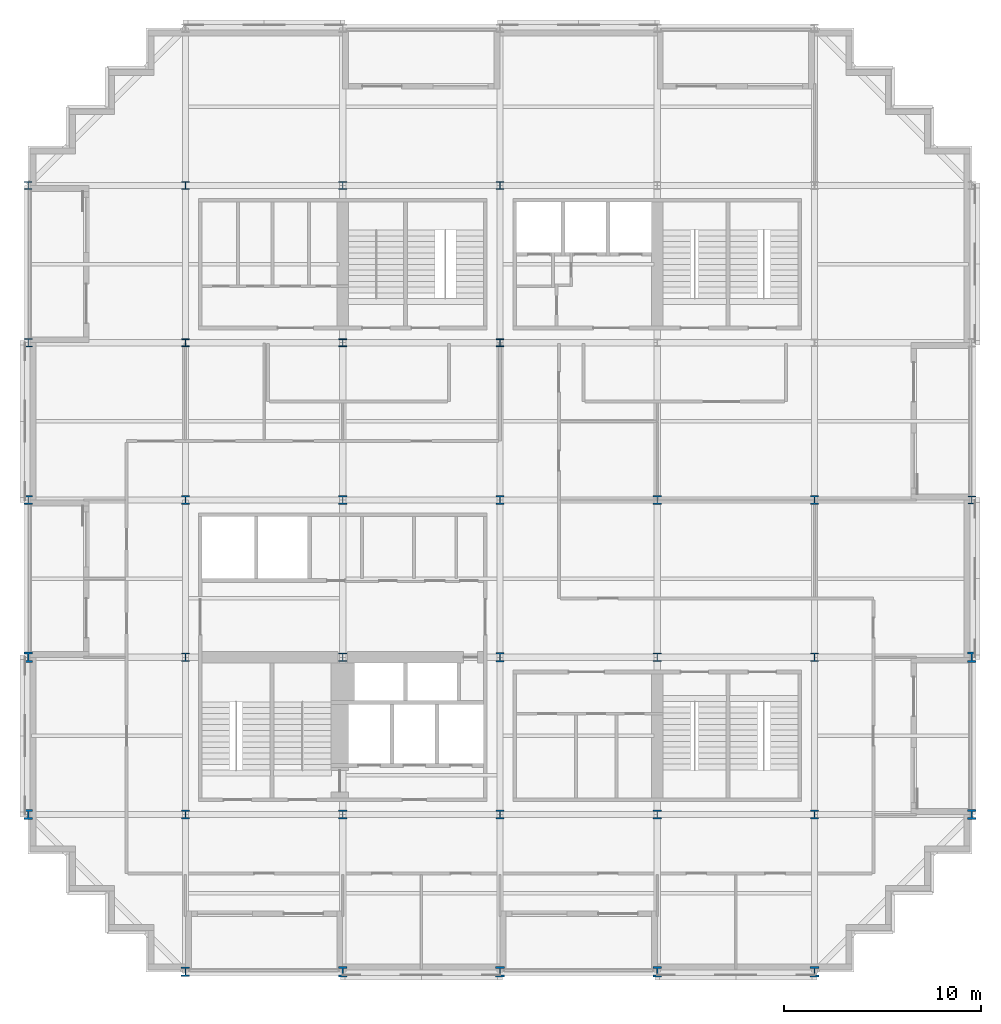
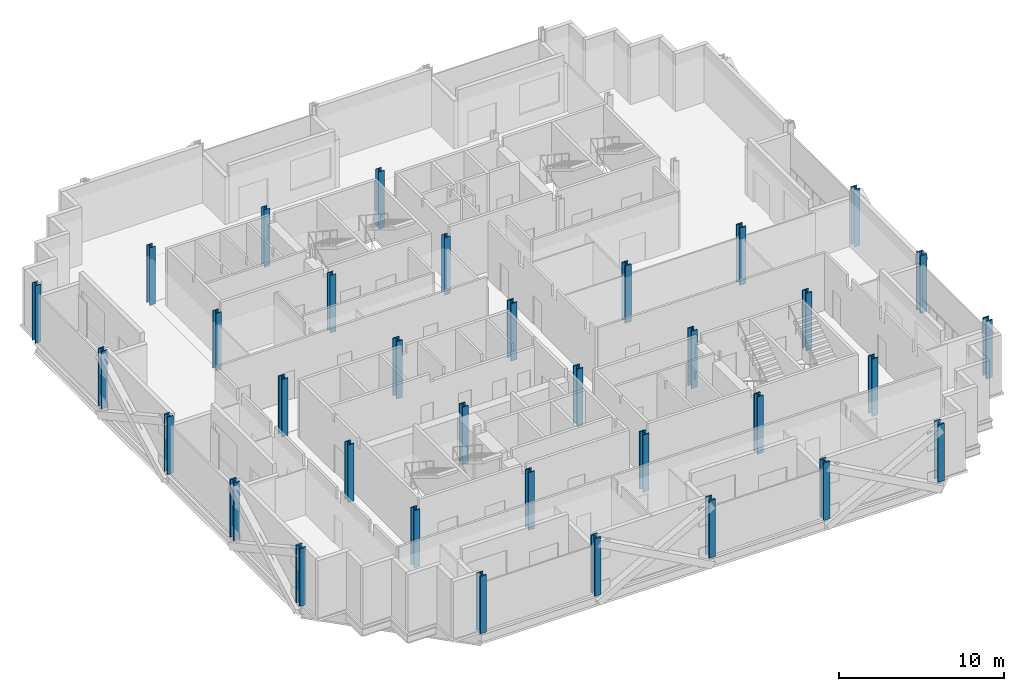
# One storey, part 1 of 12: 34 columns.
"""IFC4 building model written with IfcOpenShell, lengths in metres."""

from ifc_helpers import new_model, si_unit, direction, frame, origin, origin_2d, place, context, subcontext, project, spatial, i_section, extrude, material, material_profile, profile_set, type_object, element, save


model = new_model("IFC4")

# Units and contexts
model_context = context("Model", 3, precision=1e-05, world=origin(), true_north=direction((0.0, 1.0)))
body_context = subcontext(model_context, "Body", "Model", "MODEL_VIEW")
ifc_project = project(units=[si_unit("LENGTHUNIT", "METRE"), si_unit("AREAUNIT", "SQUARE_METRE"), si_unit("VOLUMEUNIT", "CUBIC_METRE"), si_unit("PLANEANGLEUNIT", "RADIAN"), si_unit("MASSUNIT", "GRAM", prefix="KILO")], contexts=[model_context])

# Site, building, storey
site_placement = place(None, origin())
site = spatial("IfcSite", under=ifc_project, at=site_placement, CompositionType="ELEMENT")
building_placement = place(site_placement, origin())
building = spatial("IfcBuilding", under=site, at=building_placement, Name="Immortelle Media Tower", CompositionType="ELEMENT")
storey_placement = place(building_placement, frame((0.0, 0.0, 52.39990234375)))
storey = spatial("IfcBuildingStorey", under=building, at=storey_placement, Name="L08", CompositionType="ELEMENT", Elevation=52.39990234375)

# Columns
ifc_material = material(Name="Steel ASTM A992 Gr 50", Category="steel")
ifc_material_profile_1 = material_profile(ifc_material, i_section(OverallWidth=0.39892578125, OverallDepth=0.385986328125, WebThickness=0.02099609375, FlangeThickness=0.032958984375, at=origin_2d()), Name="W14x176")
ifc_profile_set_1 = profile_set([ifc_material_profile_1], Name="Steel ASTM A992 Gr 50")
column_type_1 = type_object("IfcColumnType", Name="W14x176 column", PredefinedType="COLUMN", material=ifc_profile_set_1)
for number, where, z_axis, x_axis, name in (
    (1, (8.0, 32.0, 0.0), (0.0, 0.0, 1.0), (1.0, 0.0, 0.0), "Column 2/E"),
    (2, (8.0, 40.0, 0.0), (0.0, 0.0, 1.0), (1.0, 0.0, 0.0), "Column 2/F"),
    (3, (16.0, 32.0, 0.0), (0.0, 0.0, 1.0), (1.0, 0.0, 0.0), "Column 3/E"),
    (4, (16.0, 40.0, 0.0), (0.0, 0.0, 1.0), (1.0, 0.0, 0.0), "Column 3/F"),
):
    element("IfcColumn", number, at=place(storey_placement, frame(where, z_axis=z_axis, x_axis=x_axis)), inside=storey, type_object=column_type_1, Name=name, PredefinedType="COLUMN", context=body_context, shape_type="SweptSolid", body=[
        extrude(i_section(OverallWidth=0.39892578125, OverallDepth=0.385986328125, WebThickness=0.02099609375, FlangeThickness=0.032958984375, at=origin_2d()), origin(), (0.0, 0.0, 1.0), 4.25),
    ])
ifc_material_profile_2 = material_profile(ifc_material, i_section(OverallWidth=0.40087890625, OverallDepth=0.39892578125, WebThickness=0.02490234375, FlangeThickness=0.0400390625, at=origin_2d()), Name="W14x211")
ifc_profile_set_2 = profile_set([ifc_material_profile_2], Name="Steel ASTM A992 Gr 50")
column_type_2 = type_object("IfcColumnType", Name="W14x211 column", PredefinedType="COLUMN", material=ifc_profile_set_2)
for number, where, z_axis, x_axis, name in (
    (5, (24.0, 32.0, 0.0), (0.0, 0.0, 1.0), (1.0, 0.0, 0.0), "Column 4/E"),
    (6, (24.0, 40.0, 0.0), (0.0, 0.0, 1.0), (1.0, 0.0, 0.0), "Column 4/F"),
):
    element("IfcColumn", number, at=place(storey_placement, frame(where, z_axis=z_axis, x_axis=x_axis)), inside=storey, type_object=column_type_2, Name=name, PredefinedType="COLUMN", context=body_context, shape_type="SweptSolid", body=[
        extrude(i_section(OverallWidth=0.40087890625, OverallDepth=0.39892578125, WebThickness=0.02490234375, FlangeThickness=0.0400390625, at=origin_2d()), origin(), (0.0, 0.0, 1.0), 4.25),
    ])
ifc_material_profile_3 = material_profile(ifc_material, i_section(OverallWidth=0.406005859375, OverallDepth=0.4169921875, WebThickness=0.030029296875, FlangeThickness=0.048095703125, at=origin_2d()), Name="W14x257")
ifc_profile_set_3 = profile_set([ifc_material_profile_3], Name="Steel ASTM A992 Gr 50")
column_type_3 = type_object("IfcColumnType", Name="W14x257 column", PredefinedType="COLUMN", material=ifc_profile_set_3)
for number, where, z_axis, x_axis, name in (
    (7, (0.0, 40.0, 0.0), (0.0, 0.0, 1.0), (1.0, 0.0, 0.0), "Column 1/F"),
    (8, (48.0, 24.0, 0.0), (0.0, 0.0, 1.0), (1.0, 0.0, 0.0), "Column 7/D"),
):
    element("IfcColumn", number, at=place(storey_placement, frame(where, z_axis=z_axis, x_axis=x_axis)), inside=storey, type_object=column_type_3, Name=name, PredefinedType="COLUMN", context=body_context, shape_type="SweptSolid", body=[
        extrude(i_section(OverallWidth=0.406005859375, OverallDepth=0.4169921875, WebThickness=0.030029296875, FlangeThickness=0.048095703125, at=origin_2d()), origin(), (0.0, 0.0, 1.0), 4.25),
    ])
ifc_material_profile_4 = material_profile(ifc_material, i_section(OverallWidth=0.410888671875, OverallDepth=0.43408203125, WebThickness=0.035888671875, FlangeThickness=0.056884765625, at=origin_2d()), Name="W14x311")
ifc_profile_set_4 = profile_set([ifc_material_profile_4], Name="Steel ASTM A992 Gr 50")
column_type_4 = type_object("IfcColumnType", Name="W14x311 column", PredefinedType="COLUMN", material=ifc_profile_set_4)
for number, where, z_axis, x_axis, name in (
    (9, (0.0, 24.0, 0.0), (0.0, 0.0, 1.0), (1.0, 0.0, 0.0), "Column 1/D"),
    (10, (0.0, 32.0, 0.0), (0.0, 0.0, 1.0), (1.0, 0.0, 0.0), "Column 1/E"),
):
    element("IfcColumn", number, at=place(storey_placement, frame(where, z_axis=z_axis, x_axis=x_axis)), inside=storey, type_object=column_type_4, Name=name, PredefinedType="COLUMN", context=body_context, shape_type="SweptSolid", body=[
        extrude(i_section(OverallWidth=0.410888671875, OverallDepth=0.43408203125, WebThickness=0.035888671875, FlangeThickness=0.056884765625, at=origin_2d()), origin(), (0.0, 0.0, 1.0), 4.25),
    ])
ifc_material_profile_5 = material_profile(ifc_material, i_section(OverallWidth=0.4189453125, OverallDepth=0.455078125, WebThickness=0.0419921875, FlangeThickness=0.068115234375, at=origin_2d()), Name="W14x370")
ifc_profile_set_5 = profile_set([ifc_material_profile_5], Name="Steel ASTM A992 Gr 50")
column_type_5 = type_object("IfcColumnType", Name="W14x370 column", PredefinedType="COLUMN", material=ifc_profile_set_5)
for number, where, z_axis, x_axis, name in (
    (11, (8.0, 8.0, 0.0), (0.0, 0.0, 1.0), (1.0, 0.0, 0.0), "Column 2/B"),
    (12, (8.0, 16.0, 0.0), (0.0, 0.0, 1.0), (1.0, 0.0, 0.0), "Column 2/C"),
    (13, (16.0, 8.0, 0.0), (0.0, 0.0, 1.0), (1.0, 0.0, 0.0), "Column 3/B"),
    (14, (16.0, 16.0, 0.0), (0.0, 0.0, 1.0), (1.0, 0.0, 0.0), "Column 3/C"),
    (15, (32.0, 8.0, 0.0), (0.0, 0.0, 1.0), (1.0, 0.0, 0.0), "Column 5/B"),
    (16, (32.0, 16.0, 0.0), (0.0, 0.0, 1.0), (1.0, 0.0, 0.0), "Column 5/C"),
    (17, (40.0, 8.0, 0.0), (0.0, 0.0, 1.0), (1.0, 0.0, 0.0), "Column 6/B"),
    (18, (40.0, 16.0, 0.0), (0.0, 0.0, 1.0), (1.0, 0.0, 0.0), "Column 6/C"),
):
    element("IfcColumn", number, at=place(storey_placement, frame(where, z_axis=z_axis, x_axis=x_axis)), inside=storey, type_object=column_type_5, Name=name, PredefinedType="COLUMN", context=body_context, shape_type="SweptSolid", body=[
        extrude(i_section(OverallWidth=0.4189453125, OverallDepth=0.455078125, WebThickness=0.0419921875, FlangeThickness=0.068115234375, at=origin_2d()), origin(), (0.0, 0.0, 1.0), 4.25),
    ])
ifc_material_profile_6 = material_profile(ifc_material, i_section(OverallWidth=0.424072265625, OverallDepth=0.47509765625, WebThickness=0.048095703125, FlangeThickness=0.076904296875, at=origin_2d()), Name="W14x426")
ifc_profile_set_6 = profile_set([ifc_material_profile_6], Name="Steel ASTM A992 Gr 50")
column_type_6 = type_object("IfcColumnType", Name="W14x426 column", PredefinedType="COLUMN", material=ifc_profile_set_6)
for number, where, z_axis, x_axis, name in (
    (19, (8.0, 24.0, 0.0), (0.0, 0.0, 1.0), (1.0, 0.0, 0.0), "Column 2/D"),
    (20, (16.0, 24.0, 0.0), (0.0, 0.0, 1.0), (1.0, 0.0, 0.0), "Column 3/D"),
    (21, (24.0, 8.0, 0.0), (0.0, 0.0, 1.0), (1.0, 0.0, 0.0), "Column 4/B"),
    (22, (24.0, 16.0, 0.0), (0.0, 0.0, 1.0), (1.0, 0.0, 0.0), "Column 4/C"),
    (23, (24.0, 24.0, 0.0), (0.0, 0.0, 1.0), (1.0, 0.0, 0.0), "Column 4/D"),
    (24, (32.0, 24.0, 0.0), (0.0, 0.0, 1.0), (1.0, 0.0, 0.0), "Column 5/D"),
    (25, (40.0, 24.0, 0.0), (0.0, 0.0, 1.0), (1.0, 0.0, 0.0), "Column 6/D"),
):
    element("IfcColumn", number, at=place(storey_placement, frame(where, z_axis=z_axis, x_axis=x_axis)), inside=storey, type_object=column_type_6, Name=name, PredefinedType="COLUMN", context=body_context, shape_type="SweptSolid", body=[
        extrude(i_section(OverallWidth=0.424072265625, OverallDepth=0.47509765625, WebThickness=0.048095703125, FlangeThickness=0.076904296875, at=origin_2d()), origin(), (0.0, 0.0, 1.0), 4.25),
    ])
ifc_material_profile_7 = material_profile(ifc_material, i_section(OverallWidth=0.431884765625, OverallDepth=0.498046875, WebThickness=0.055908203125, FlangeThickness=0.089111328125, at=origin_2d()), Name="W14x500")
ifc_profile_set_7 = profile_set([ifc_material_profile_7], Name="Steel ASTM A992 Gr 50")
column_type_7 = type_object("IfcColumnType", Name="W14x500 column", PredefinedType="COLUMN", material=ifc_profile_set_7)
for number, where, z_axis, x_axis, name in (
    (26, (8.0, 0.0, 0.0), (0.0, 0.0, 1.0), (1.0, 0.0, 0.0), "Column 2/A"),
    (27, (48.0, 8.0, 0.0), (0.0, 0.0, 1.0), (1.0, 0.0, 0.0), "Column 7/B"),
):
    element("IfcColumn", number, at=place(storey_placement, frame(where, z_axis=z_axis, x_axis=x_axis)), inside=storey, type_object=column_type_7, Name=name, PredefinedType="COLUMN", context=body_context, shape_type="SweptSolid", body=[
        extrude(i_section(OverallWidth=0.431884765625, OverallDepth=0.498046875, WebThickness=0.055908203125, FlangeThickness=0.089111328125, at=origin_2d()), origin(), (0.0, 0.0, 1.0), 4.25),
    ])
ifc_material_profile_8 = material_profile(ifc_material, i_section(OverallWidth=0.44189453125, OverallDepth=0.531005859375, WebThickness=0.06591796875, FlangeThickness=0.10595703125, at=origin_2d()), Name="W14x605")
ifc_profile_set_8 = profile_set([ifc_material_profile_8], Name="Steel ASTM A992 Gr 50")
column_type_8 = type_object("IfcColumnType", Name="W14x605 column", PredefinedType="COLUMN", material=ifc_profile_set_8)
for number, where, z_axis, x_axis, name in (
    (28, (0.0, 8.0, 0.0), (0.0, 0.0, 1.0), (1.0, 0.0, 0.0), "Column 1/B"),
    (29, (0.0, 16.0, 0.0), (0.0, 0.0, 1.0), (1.0, 0.0, 0.0), "Column 1/C"),
    (30, (16.0, 0.0, 0.0), (0.0, 0.0, 1.0), (1.0, 0.0, 0.0), "Column 3/A"),
    (31, (24.0, 0.0, 0.0), (0.0, 0.0, 1.0), (1.0, 0.0, 0.0), "Column 4/A"),
    (32, (32.0, 0.0, 0.0), (0.0, 0.0, 1.0), (1.0, 0.0, 0.0), "Column 5/A"),
    (33, (40.0, 0.0, 0.0), (0.0, 0.0, 1.0), (1.0, 0.0, 0.0), "Column 6/A"),
    (34, (48.0, 16.0, 0.0), (0.0, 0.0, 1.0), (1.0, 0.0, 0.0), "Column 7/C"),
):
    element("IfcColumn", number, at=place(storey_placement, frame(where, z_axis=z_axis, x_axis=x_axis)), inside=storey, type_object=column_type_8, Name=name, PredefinedType="COLUMN", context=body_context, shape_type="SweptSolid", body=[
        extrude(i_section(OverallWidth=0.44189453125, OverallDepth=0.531005859375, WebThickness=0.06591796875, FlangeThickness=0.10595703125, at=origin_2d()), origin(), (0.0, 0.0, 1.0), 4.25),
    ])

save(model, "model.ifc")
